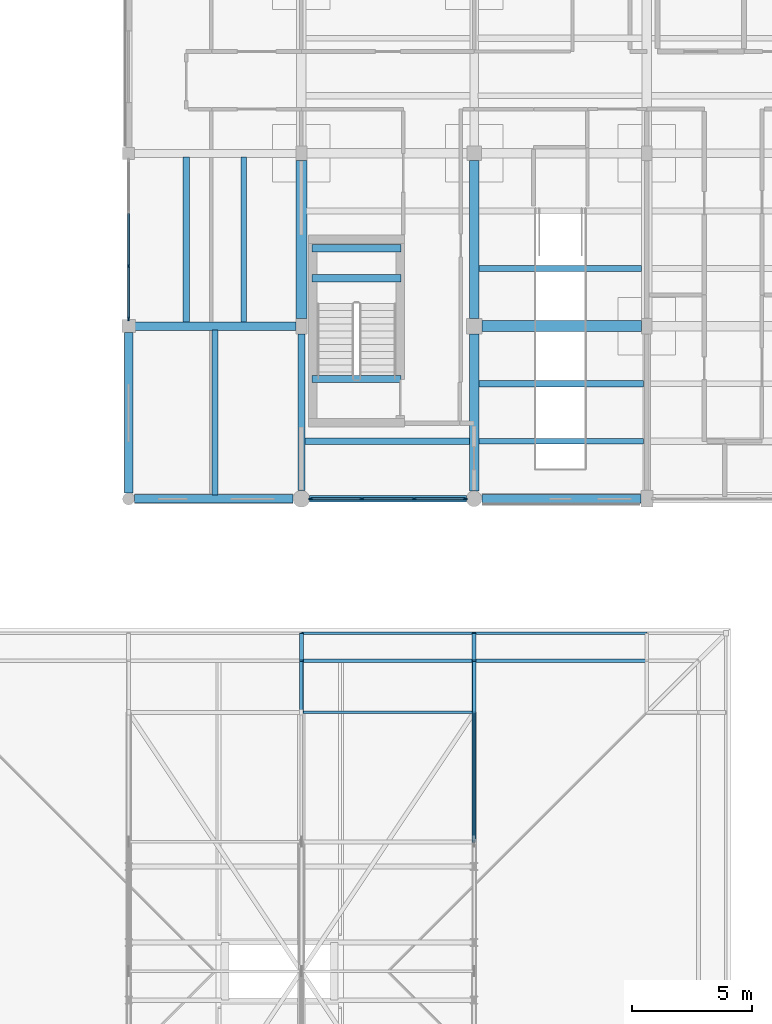
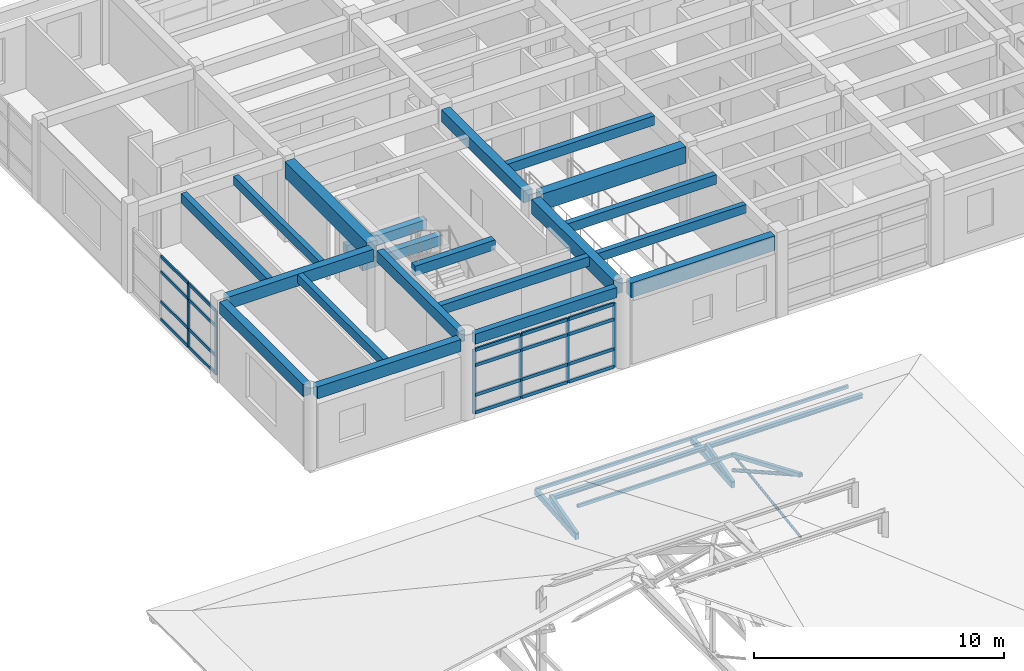
# One storey, part 10 of 110: 38 members, 20 beams, 2 elements without a shape of their own.
"""IFC4 building model written with IfcOpenShell, lengths in metres."""

from ifc_helpers import new_model, si_unit, direction, frame, origin, origin_2d, place, context, subcontext, project, spatial, rectangle, hollow_rectangle, hollow_circle, i_section, extrude, material, material_profile, profile_set, type_object, element, aggregate, save


model = new_model("IFC4")

# Units and contexts
model_context = context("Model", 3, precision=1e-05, world=origin(), true_north=direction((0.0, 1.0)))
body_context = subcontext(model_context, "Body", "Model", "MODEL_VIEW")
ifc_project = project(units=[si_unit("LENGTHUNIT", "METRE"), si_unit("AREAUNIT", "SQUARE_METRE"), si_unit("VOLUMEUNIT", "CUBIC_METRE"), si_unit("PLANEANGLEUNIT", "RADIAN"), si_unit("MASSUNIT", "GRAM", prefix="KILO")], contexts=[model_context])

# Site, building, storey
site_placement = place(None, origin())
site = spatial("IfcSite", under=ifc_project, at=site_placement, CompositionType="ELEMENT")
building_placement = place(site_placement, origin())
building = spatial("IfcBuilding", under=site, at=building_placement, Name="Steenspoor Specialist Clinic", CompositionType="ELEMENT")
storey_placement = place(building_placement, frame((0.0, 0.0, 4.800048828125)))
storey = spatial("IfcBuildingStorey", under=building, at=storey_placement, Name="L01", CompositionType="ELEMENT", Elevation=4.800048828125)

# Beams
ifc_material_1 = material(Name="Concrete C35/45", Category="concrete")
ifc_material_profile_1 = material_profile(ifc_material_1, rectangle(XDim=0.300048828125, YDim=0.47998046875, at=origin_2d()), Name="RC-BM-300X480")
ifc_profile_set_1 = profile_set([ifc_material_profile_1], Name="Concrete C35/45")
beam_type_1 = type_object("IfcBeamType", Name="BM-RC-300X480", PredefinedType="BEAM", material=ifc_profile_set_1)
for number, where, z_axis, x_axis, name in (
    (1, (23.25, 74.35009765625, 1.659912109375), (1.0, 0.0, 0.0), (0.0, 1.0, 0.0), "Stair Mid-Landing Bearer 1 ST-V5B L01"),
    (2, (23.25, 75.60009765625, 1.659912109375), (1.0, 0.0, 0.0), (0.0, 1.0, 0.0), "Stair Mid-Landing Bearer 2 ST-V5B L01"),
    (3, (23.25, 70.14990234375, 3.9599609375), (1.0, 0.0, 0.0), (0.0, 1.0, 0.0), "Stair Well Trimmer Beam ST-V5B L01"),
):
    element("IfcBeam", number, at=place(storey_placement, frame(where, z_axis=z_axis, x_axis=x_axis)), inside=storey, type_object=beam_type_1, Name=name, PredefinedType="BEAM", context=body_context, shape_type="SweptSolid", body=[
        extrude(rectangle(XDim=0.300048828125, YDim=0.47998046875, at=origin_2d()), origin(), (0.0, 0.0, 1.0), 3.699951171875),
    ])
ifc_material_profile_2 = material_profile(ifc_material_1, rectangle(XDim=0.300048828125, YDim=0.550048828125, at=origin_2d()), Name="RC-BM-300X550")
ifc_profile_set_2 = profile_set([ifc_material_profile_2], Name="Concrete C35/45")
beam_type_2 = type_object("IfcBeamType", Name="BM-RC-300X550", PredefinedType="BEAM", material=ifc_profile_set_2)
beam_1_placement = place(storey_placement, frame((22.800048828125, 65.4951171875, 3.675048828125), z_axis=(0.0, 1.0, 0.0), x_axis=(-1.0, 0.0, 0.0)))
element("IfcBeam", 4, at=beam_1_placement, inside=storey, type_object=beam_type_2, Name="BM-V5-L01-Y1178", PredefinedType="BEAM", context=body_context, shape_type="SweptSolid", body=[
    extrude(rectangle(XDim=0.300048828125, YDim=0.550048828125, at=origin_2d()), origin(), (0.0, 0.0, 1.0), 6.534912109375),
])
ifc_material_profile_3 = material_profile(ifc_material_1, rectangle(XDim=0.35009765625, YDim=0.580078125, at=origin_2d()), Name="RC-BM-350X580")
ifc_profile_set_3 = profile_set([ifc_material_profile_3], Name="Concrete C35/45")
beam_type_3 = type_object("IfcBeamType", Name="BM-RC-350X580", PredefinedType="BEAM", material=ifc_profile_set_3)
beam_2_placement = place(storey_placement, frame((15.844970703125, 65.14990234375, 3.659912109375), z_axis=(1.0, 0.0, 0.0), x_axis=(0.0, 1.0, 0.0)))
element("IfcBeam", 5, at=beam_2_placement, inside=storey, type_object=beam_type_3, Name="BM-V5-L01-X1206", PredefinedType="BEAM", context=body_context, shape_type="SweptSolid", body=[
    extrude(rectangle(XDim=0.35009765625, YDim=0.580078125, at=origin_2d()), origin(), (0.0, 0.0, 1.0), 6.610107421875),
])
beam_3_placement = place(storey_placement, frame((15.8701171875, 72.35009765625, 3.659912109375), z_axis=(1.0, 0.0, 0.0), x_axis=(0.0, 1.0, 0.0)))
element("IfcBeam", 6, at=beam_3_placement, inside=storey, type_object=beam_type_3, Name="BM-V5-L01-X1207", PredefinedType="BEAM", context=body_context, shape_type="SweptSolid", body=[
    extrude(rectangle(XDim=0.35009765625, YDim=0.580078125, at=origin_2d()), origin(), (0.0, 0.0, 1.0), 6.7099609375),
])
beam_4_placement = place(storey_placement, frame((15.60009765625, 65.39501953125, 3.659912109375), z_axis=(0.0, 1.0, 0.0), x_axis=(-1.0, 0.0, 0.0)))
element("IfcBeam", 7, at=beam_4_placement, inside=storey, type_object=beam_type_3, Name="BM-V5-L01-Y1208", PredefinedType="BEAM", context=body_context, shape_type="SweptSolid", body=[
    extrude(rectangle(XDim=0.35009765625, YDim=0.580078125, at=origin_2d()), origin(), (0.0, 0.0, 1.0), 6.68505859375),
])
ifc_material_profile_4 = material_profile(ifc_material_1, rectangle(XDim=0.39990234375, YDim=0.580078125, at=origin_2d()), Name="RC-BM-400X580")
ifc_profile_set_4 = profile_set([ifc_material_profile_4], Name="Concrete C35/45")
beam_type_4 = type_object("IfcBeamType", Name="BM-RC-400X580", PredefinedType="BEAM", material=ifc_profile_set_4)
beam_5_placement = place(storey_placement, frame((30.0, 72.669921875, 3.659912109375), z_axis=(0.0, 1.0, 0.0), x_axis=(-1.0, 0.0, 0.0)))
element("IfcBeam", 8, at=beam_5_placement, inside=storey, type_object=beam_type_4, Name="BM-V5-L01-Y1183", PredefinedType="BEAM", context=body_context, shape_type="SweptSolid", body=[
    extrude(rectangle(XDim=0.39990234375, YDim=0.580078125, at=origin_2d()), origin(), (0.0, 0.0, 1.0), 6.5849609375),
])
ifc_material_profile_5 = material_profile(ifc_material_1, rectangle(XDim=0.39990234375, YDim=0.699951171875, at=origin_2d()), Name="RC-BM-400X700")
ifc_profile_set_5 = profile_set([ifc_material_profile_5], Name="Concrete C35/45")
beam_type_5 = type_object("IfcBeamType", Name="BM-RC-400X700", PredefinedType="BEAM", material=ifc_profile_set_5)
beam_6_placement = place(storey_placement, frame((30.0, 65.469970703125, 3.599853515625), z_axis=(0.0, 1.0, 0.0), x_axis=(-1.0, 0.0, 0.0)))
element("IfcBeam", 9, at=beam_6_placement, inside=storey, type_object=beam_type_5, Name="BM-V5-L01-Y1182", PredefinedType="BEAM", context=body_context, shape_type="SweptSolid", body=[
    extrude(rectangle(XDim=0.39990234375, YDim=0.699951171875, at=origin_2d()), origin(), (0.0, 0.0, 1.0), 6.56005859375),
])
ifc_material_profile_6 = material_profile(ifc_material_1, rectangle(XDim=0.449951171875, YDim=0.800048828125, at=origin_2d()), Name="RC-BM-450X800")
ifc_profile_set_6 = profile_set([ifc_material_profile_6], Name="Concrete C35/45")
beam_type_6 = type_object("IfcBeamType", Name="BM-RC-450X800", PredefinedType="BEAM", material=ifc_profile_set_6)
beam_7_placement = place(storey_placement, frame((30.320068359375, 72.35009765625, 3.550048828125), z_axis=(1.0, 0.0, 0.0), x_axis=(0.0, 1.0, 0.0)))
element("IfcBeam", 10, at=beam_7_placement, inside=storey, type_object=beam_type_6, Name="BM-V5-L01-X1158", PredefinedType="BEAM", context=body_context, shape_type="SweptSolid", body=[
    extrude(rectangle(XDim=0.449951171875, YDim=0.800048828125, at=origin_2d()), origin(), (0.0, 0.0, 1.0), 6.659912109375),
])
beam_8_placement = place(storey_placement, frame((22.800048828125, 72.669921875, 3.550048828125), z_axis=(0.0, 1.0, 0.0), x_axis=(-1.0, 0.0, 0.0)))
element("IfcBeam", 11, at=beam_8_placement, inside=storey, type_object=beam_type_6, Name="BM-V5-L01-Y1179", PredefinedType="BEAM", context=body_context, shape_type="SweptSolid", body=[
    extrude(rectangle(XDim=0.449951171875, YDim=0.800048828125, at=origin_2d()), origin(), (0.0, 0.0, 1.0), 6.5849609375),
])

# Curtain wall, members
ifc_material_2 = material(Name="Thermally broken aluminium and low-emissivity glass", Category="aluminium")
curtain_wall_type_1 = type_object("IfcCurtainWallType", Name="CW-WLK-520X340", PredefinedType="USERDEFINED", material=ifc_material_2)
curtain_wall_1_placement = place(storey_placement, origin())
curtain_wall_1 = element("IfcCurtainWall", 12, at=curtain_wall_1_placement, inside=storey, type_object=curtain_wall_type_1, Name="Unitised Curtain Wall CW-V5-L01-141", ObjectType="UNITISED GLAZING", PredefinedType="USERDEFINED")
ifc_material_3 = material(Name="Thermally broken aluminium 6063-T6", Category="aluminium")
ifc_material_profile_7 = material_profile(ifc_material_3, rectangle(XDim=0.06494140625, YDim=0.14990234375, at=origin_2d()), Name="CWM-65X150")
ifc_profile_set_7 = profile_set([ifc_material_profile_7], Name="Thermally broken aluminium 6063-T6")
member_type_1 = type_object("IfcMemberType", Name="CW-MULL-65X150", PredefinedType="MULLION", material=ifc_profile_set_7)
member_1_placement = place(storey_placement, frame((15.60009765625, 72.657470703125, 0.0), z_axis=(0.0, 0.0, 1.0), x_axis=(-1.0, 0.0, 0.0)))
member_1 = element("IfcMember", 13, at=member_1_placement, type_object=member_type_1, Name="CW-21 mullion 1", PredefinedType="MULLION", context=body_context, shape_type="SweptSolid", body=[
    extrude(rectangle(XDim=0.06494140625, YDim=0.14990234375, at=origin_2d()), origin(), (0.0, 0.0, 1.0), 3.1298828125),
])
member_2_placement = place(storey_placement, frame((15.60009765625, 74.85009765625, 0.0), z_axis=(0.0, 0.0, 1.0), x_axis=(-1.0, 0.0, 0.0)))
member_2 = element("IfcMember", 14, at=member_2_placement, type_object=member_type_1, Name="CW-21 mullion 2", PredefinedType="MULLION", context=body_context, shape_type="SweptSolid", body=[
    extrude(rectangle(XDim=0.06494140625, YDim=0.14990234375, at=origin_2d()), origin(), (0.0, 0.0, 1.0), 3.1298828125),
])

curtain_wall_type_2 = type_object("IfcCurtainWallType", Name="CW-WLK-640X340", PredefinedType="USERDEFINED", material=ifc_material_2)
curtain_wall_2_placement = place(storey_placement, origin())
curtain_wall_2 = element("IfcCurtainWall", 15, at=curtain_wall_2_placement, inside=storey, type_object=curtain_wall_type_2, Name="Unitised Curtain Wall CW-V5-L01-140", ObjectType="UNITISED GLAZING", PredefinedType="USERDEFINED")
ifc_material_profile_8 = material_profile(ifc_material_3, rectangle(XDim=0.070068359375, YDim=0.1650390625, at=origin_2d()), Name="CWM-70X165")
ifc_profile_set_8 = profile_set([ifc_material_profile_8], Name="Thermally broken aluminium 6063-T6")
member_type_2 = type_object("IfcMemberType", Name="CW-MULL-70X165", PredefinedType="MULLION", material=ifc_profile_set_8)
member_3_placement = place(storey_placement, frame((29.639892578125, 65.14990234375, 0.0), z_axis=(0.0, 0.0, 1.0), x_axis=(0.0, -1.0, 0.0)))
member_3 = element("IfcMember", 16, at=member_3_placement, type_object=member_type_2, Name="CW-20 mullion 1", PredefinedType="MULLION", context=body_context, shape_type="SweptSolid", body=[
    extrude(rectangle(XDim=0.070068359375, YDim=0.1650390625, at=origin_2d()), origin(), (0.0, 0.0, 1.0), 3.1298828125),
])
member_4_placement = place(storey_placement, frame((27.5, 65.14990234375, 0.0), z_axis=(0.0, 0.0, 1.0), x_axis=(0.0, -1.0, 0.0)))
member_4 = element("IfcMember", 17, at=member_4_placement, type_object=member_type_2, Name="CW-20 mullion 2", PredefinedType="MULLION", context=body_context, shape_type="SweptSolid", body=[
    extrude(rectangle(XDim=0.070068359375, YDim=0.1650390625, at=origin_2d()), origin(), (0.0, 0.0, 1.0), 3.1298828125),
])
member_5_placement = place(storey_placement, frame((25.324951171875, 65.14990234375, 0.0), z_axis=(0.0, 0.0, 1.0), x_axis=(0.0, -1.0, 0.0)))
member_5 = element("IfcMember", 18, at=member_5_placement, type_object=member_type_2, Name="CW-20 mullion 3", PredefinedType="MULLION", context=body_context, shape_type="SweptSolid", body=[
    extrude(rectangle(XDim=0.070068359375, YDim=0.1650390625, at=origin_2d()), origin(), (0.0, 0.0, 1.0), 3.1298828125),
])
member_6_placement = place(storey_placement, frame((23.18505859375, 65.14990234375, 0.0), z_axis=(0.0, 0.0, 1.0), x_axis=(0.0, -1.0, 0.0)))
member_6 = element("IfcMember", 19, at=member_6_placement, type_object=member_type_2, Name="CW-20 mullion 4", PredefinedType="MULLION", context=body_context, shape_type="SweptSolid", body=[
    extrude(rectangle(XDim=0.070068359375, YDim=0.1650390625, at=origin_2d()), origin(), (0.0, 0.0, 1.0), 3.1298828125),
])

# Member
ifc_material_profile_9 = material_profile(ifc_material_3, rectangle(XDim=0.070068359375, YDim=0.14501953125, at=origin_2d()), Name="CWT-70X145")
ifc_profile_set_9 = profile_set([ifc_material_profile_9], Name="Thermally broken aluminium 6063-T6")
member_type_3 = type_object("IfcMemberType", Name="CW-TRAN-70X145", PredefinedType="USERDEFINED", material=ifc_profile_set_9)
member_7_placement = place(storey_placement, frame((15.60009765625, 72.68994140625, 0.034912109375), z_axis=(0.0, 1.0, 0.0), x_axis=(-1.0, 0.0, 0.0)))
member_7 = element("IfcMember", 20, at=member_7_placement, type_object=member_type_3, Name="CW-21 transom 1.1", ObjectType="TRANSOM", PredefinedType="USERDEFINED", context=body_context, shape_type="SweptSolid", body=[
    extrude(rectangle(XDim=0.070068359375, YDim=0.14501953125, at=origin_2d()), origin(), (0.0, 0.0, 1.0), 2.12744140625),
])

member_8_placement = place(storey_placement, frame((15.60009765625, 72.68994140625, 0.89990234375), z_axis=(0.0, 1.0, 0.0), x_axis=(-1.0, 0.0, 0.0)))
member_8 = element("IfcMember", 21, at=member_8_placement, type_object=member_type_3, Name="CW-21 transom 1.2", ObjectType="TRANSOM", PredefinedType="USERDEFINED", context=body_context, shape_type="SweptSolid", body=[
    extrude(rectangle(XDim=0.070068359375, YDim=0.14501953125, at=origin_2d()), origin(), (0.0, 0.0, 1.0), 2.12744140625),
])

member_9_placement = place(storey_placement, frame((15.60009765625, 72.68994140625, 2.349853515625), z_axis=(0.0, 1.0, 0.0), x_axis=(-1.0, 0.0, 0.0)))
member_9 = element("IfcMember", 22, at=member_9_placement, type_object=member_type_3, Name="CW-21 transom 1.3", ObjectType="TRANSOM", PredefinedType="USERDEFINED", context=body_context, shape_type="SweptSolid", body=[
    extrude(rectangle(XDim=0.070068359375, YDim=0.14501953125, at=origin_2d()), origin(), (0.0, 0.0, 1.0), 2.12744140625),
])

member_10_placement = place(storey_placement, frame((15.60009765625, 72.68994140625, 3.094970703125), z_axis=(0.0, 1.0, 0.0), x_axis=(-1.0, 0.0, 0.0)))
member_10 = element("IfcMember", 23, at=member_10_placement, type_object=member_type_3, Name="CW-21 transom 1.4", ObjectType="TRANSOM", PredefinedType="USERDEFINED", context=body_context, shape_type="SweptSolid", body=[
    extrude(rectangle(XDim=0.070068359375, YDim=0.14501953125, at=origin_2d()), origin(), (0.0, 0.0, 1.0), 2.12744140625),
])

member_11_placement = place(storey_placement, frame((15.60009765625, 74.882568359375, 0.034912109375), z_axis=(0.0, 1.0, 0.0), x_axis=(-1.0, 0.0, 0.0)))
member_11 = element("IfcMember", 24, at=member_11_placement, type_object=member_type_3, Name="CW-21 transom 2.1", ObjectType="TRANSOM", PredefinedType="USERDEFINED", context=body_context, shape_type="SweptSolid", body=[
    extrude(rectangle(XDim=0.070068359375, YDim=0.14501953125, at=origin_2d()), origin(), (0.0, 0.0, 1.0), 2.159912109375),
])

member_12_placement = place(storey_placement, frame((15.60009765625, 74.882568359375, 0.89990234375), z_axis=(0.0, 1.0, 0.0), x_axis=(-1.0, 0.0, 0.0)))
member_12 = element("IfcMember", 25, at=member_12_placement, type_object=member_type_3, Name="CW-21 transom 2.2", ObjectType="TRANSOM", PredefinedType="USERDEFINED", context=body_context, shape_type="SweptSolid", body=[
    extrude(rectangle(XDim=0.070068359375, YDim=0.14501953125, at=origin_2d()), origin(), (0.0, 0.0, 1.0), 2.159912109375),
])

member_13_placement = place(storey_placement, frame((15.60009765625, 74.882568359375, 2.349853515625), z_axis=(0.0, 1.0, 0.0), x_axis=(-1.0, 0.0, 0.0)))
member_13 = element("IfcMember", 26, at=member_13_placement, type_object=member_type_3, Name="CW-21 transom 2.3", ObjectType="TRANSOM", PredefinedType="USERDEFINED", context=body_context, shape_type="SweptSolid", body=[
    extrude(rectangle(XDim=0.070068359375, YDim=0.14501953125, at=origin_2d()), origin(), (0.0, 0.0, 1.0), 2.159912109375),
])

member_14_placement = place(storey_placement, frame((15.60009765625, 74.882568359375, 3.094970703125), z_axis=(0.0, 1.0, 0.0), x_axis=(-1.0, 0.0, 0.0)))
member_14 = element("IfcMember", 27, at=member_14_placement, type_object=member_type_3, Name="CW-21 transom 2.4", ObjectType="TRANSOM", PredefinedType="USERDEFINED", context=body_context, shape_type="SweptSolid", body=[
    extrude(rectangle(XDim=0.070068359375, YDim=0.14501953125, at=origin_2d()), origin(), (0.0, 0.0, 1.0), 2.159912109375),
])

aggregate(curtain_wall_1, [member_1, member_2, member_7, member_8, member_9, member_10, member_11, member_12, member_13, member_14])

ifc_material_profile_10 = material_profile(ifc_material_3, rectangle(XDim=0.080078125, YDim=0.159912109375, at=origin_2d()), Name="CWT-80X160")
ifc_profile_set_10 = profile_set([ifc_material_profile_10], Name="Thermally broken aluminium 6063-T6")
member_type_4 = type_object("IfcMemberType", Name="CW-TRAN-80X160", PredefinedType="USERDEFINED", material=ifc_profile_set_10)
member_15_placement = place(storey_placement, frame((29.60498046875, 65.14990234375, 0.0400390625), z_axis=(-1.0, 0.0, 0.0), x_axis=(0.0, -1.0, 0.0)))
member_15 = element("IfcMember", 28, at=member_15_placement, type_object=member_type_4, Name="CW-20 transom 1.1", ObjectType="TRANSOM", PredefinedType="USERDEFINED", context=body_context, shape_type="SweptSolid", body=[
    extrude(rectangle(XDim=0.080078125, YDim=0.159912109375, at=origin_2d()), origin(), (0.0, 0.0, 1.0), 2.070068359375),
])

member_16_placement = place(storey_placement, frame((29.60498046875, 65.14990234375, 0.89990234375), z_axis=(-1.0, 0.0, 0.0), x_axis=(0.0, -1.0, 0.0)))
member_16 = element("IfcMember", 29, at=member_16_placement, type_object=member_type_4, Name="CW-20 transom 1.2", ObjectType="TRANSOM", PredefinedType="USERDEFINED", context=body_context, shape_type="SweptSolid", body=[
    extrude(rectangle(XDim=0.080078125, YDim=0.159912109375, at=origin_2d()), origin(), (0.0, 0.0, 1.0), 2.070068359375),
])

member_17_placement = place(storey_placement, frame((29.60498046875, 65.14990234375, 2.349853515625), z_axis=(-1.0, 0.0, 0.0), x_axis=(0.0, -1.0, 0.0)))
member_17 = element("IfcMember", 30, at=member_17_placement, type_object=member_type_4, Name="CW-20 transom 1.3", ObjectType="TRANSOM", PredefinedType="USERDEFINED", context=body_context, shape_type="SweptSolid", body=[
    extrude(rectangle(XDim=0.080078125, YDim=0.159912109375, at=origin_2d()), origin(), (0.0, 0.0, 1.0), 2.070068359375),
])

member_18_placement = place(storey_placement, frame((29.60498046875, 65.14990234375, 3.08984375), z_axis=(-1.0, 0.0, 0.0), x_axis=(0.0, -1.0, 0.0)))
member_18 = element("IfcMember", 31, at=member_18_placement, type_object=member_type_4, Name="CW-20 transom 1.4", ObjectType="TRANSOM", PredefinedType="USERDEFINED", context=body_context, shape_type="SweptSolid", body=[
    extrude(rectangle(XDim=0.080078125, YDim=0.159912109375, at=origin_2d()), origin(), (0.0, 0.0, 1.0), 2.070068359375),
])

member_19_placement = place(storey_placement, frame((27.465087890625, 65.14990234375, 0.0400390625), z_axis=(-1.0, 0.0, 0.0), x_axis=(0.0, -1.0, 0.0)))
member_19 = element("IfcMember", 32, at=member_19_placement, type_object=member_type_4, Name="CW-20 transom 2.1", ObjectType="TRANSOM", PredefinedType="USERDEFINED", context=body_context, shape_type="SweptSolid", body=[
    extrude(rectangle(XDim=0.080078125, YDim=0.159912109375, at=origin_2d()), origin(), (0.0, 0.0, 1.0), 2.10498046875),
])

member_20_placement = place(storey_placement, frame((27.465087890625, 65.14990234375, 0.89990234375), z_axis=(-1.0, 0.0, 0.0), x_axis=(0.0, -1.0, 0.0)))
member_20 = element("IfcMember", 33, at=member_20_placement, type_object=member_type_4, Name="CW-20 transom 2.2", ObjectType="TRANSOM", PredefinedType="USERDEFINED", context=body_context, shape_type="SweptSolid", body=[
    extrude(rectangle(XDim=0.080078125, YDim=0.159912109375, at=origin_2d()), origin(), (0.0, 0.0, 1.0), 2.10498046875),
])

member_21_placement = place(storey_placement, frame((27.465087890625, 65.14990234375, 2.349853515625), z_axis=(-1.0, 0.0, 0.0), x_axis=(0.0, -1.0, 0.0)))
member_21 = element("IfcMember", 34, at=member_21_placement, type_object=member_type_4, Name="CW-20 transom 2.3", ObjectType="TRANSOM", PredefinedType="USERDEFINED", context=body_context, shape_type="SweptSolid", body=[
    extrude(rectangle(XDim=0.080078125, YDim=0.159912109375, at=origin_2d()), origin(), (0.0, 0.0, 1.0), 2.10498046875),
])

member_22_placement = place(storey_placement, frame((27.465087890625, 65.14990234375, 3.08984375), z_axis=(-1.0, 0.0, 0.0), x_axis=(0.0, -1.0, 0.0)))
member_22 = element("IfcMember", 35, at=member_22_placement, type_object=member_type_4, Name="CW-20 transom 2.4", ObjectType="TRANSOM", PredefinedType="USERDEFINED", context=body_context, shape_type="SweptSolid", body=[
    extrude(rectangle(XDim=0.080078125, YDim=0.159912109375, at=origin_2d()), origin(), (0.0, 0.0, 1.0), 2.10498046875),
])

member_23_placement = place(storey_placement, frame((25.2900390625, 65.14990234375, 0.0400390625), z_axis=(-1.0, 0.0, 0.0), x_axis=(0.0, -1.0, 0.0)))
member_23 = element("IfcMember", 36, at=member_23_placement, type_object=member_type_4, Name="CW-20 transom 3.1", ObjectType="TRANSOM", PredefinedType="USERDEFINED", context=body_context, shape_type="SweptSolid", body=[
    extrude(rectangle(XDim=0.080078125, YDim=0.159912109375, at=origin_2d()), origin(), (0.0, 0.0, 1.0), 2.070068359375),
])

member_24_placement = place(storey_placement, frame((25.2900390625, 65.14990234375, 0.89990234375), z_axis=(-1.0, 0.0, 0.0), x_axis=(0.0, -1.0, 0.0)))
member_24 = element("IfcMember", 37, at=member_24_placement, type_object=member_type_4, Name="CW-20 transom 3.2", ObjectType="TRANSOM", PredefinedType="USERDEFINED", context=body_context, shape_type="SweptSolid", body=[
    extrude(rectangle(XDim=0.080078125, YDim=0.159912109375, at=origin_2d()), origin(), (0.0, 0.0, 1.0), 2.070068359375),
])

member_25_placement = place(storey_placement, frame((25.2900390625, 65.14990234375, 2.349853515625), z_axis=(-1.0, 0.0, 0.0), x_axis=(0.0, -1.0, 0.0)))
member_25 = element("IfcMember", 38, at=member_25_placement, type_object=member_type_4, Name="CW-20 transom 3.3", ObjectType="TRANSOM", PredefinedType="USERDEFINED", context=body_context, shape_type="SweptSolid", body=[
    extrude(rectangle(XDim=0.080078125, YDim=0.159912109375, at=origin_2d()), origin(), (0.0, 0.0, 1.0), 2.070068359375),
])

member_26_placement = place(storey_placement, frame((25.2900390625, 65.14990234375, 3.08984375), z_axis=(-1.0, 0.0, 0.0), x_axis=(0.0, -1.0, 0.0)))
member_26 = element("IfcMember", 39, at=member_26_placement, type_object=member_type_4, Name="CW-20 transom 3.4", ObjectType="TRANSOM", PredefinedType="USERDEFINED", context=body_context, shape_type="SweptSolid", body=[
    extrude(rectangle(XDim=0.080078125, YDim=0.159912109375, at=origin_2d()), origin(), (0.0, 0.0, 1.0), 2.070068359375),
])

aggregate(curtain_wall_2, [member_3, member_4, member_5, member_6, member_15, member_16, member_17, member_18, member_19, member_20, member_21, member_22, member_23, member_24, member_25, member_26])

# Beams
ifc_material_profile_11 = material_profile(ifc_material_1, rectangle(XDim=0.239990234375, YDim=0.419921875, at=origin_2d()), Name="RC-JT-240X420")
ifc_profile_set_11 = profile_set([ifc_material_profile_11], Name="Concrete C35/45")
beam_type_7 = type_object("IfcBeamType", Name="JT-RC-240X420", PredefinedType="JOIST", material=ifc_profile_set_11)
beam_9_placement = place(storey_placement, frame((19.199951171875, 65.320068359375, 3.739990234375), z_axis=(0.0, 1.0, 0.0), x_axis=(-1.0, 0.0, 0.0)))
element("IfcBeam", 40, at=beam_9_placement, inside=storey, type_object=beam_type_7, Name="JT-V5-L01-1209", PredefinedType="JOIST", context=body_context, shape_type="SweptSolid", body=[
    extrude(rectangle(XDim=0.239990234375, YDim=0.419921875, at=origin_2d()), origin(), (0.0, 0.0, 1.0), 6.85986328125),
])
beam_10_placement = place(storey_placement, frame((20.39990234375, 72.52001953125, 3.739990234375), z_axis=(0.0, 1.0, 0.0), x_axis=(-1.0, 0.0, 0.0)))
element("IfcBeam", 41, at=beam_10_placement, inside=storey, type_object=beam_type_7, Name="JT-V5-L01-1211", PredefinedType="JOIST", context=body_context, shape_type="SweptSolid", body=[
    extrude(rectangle(XDim=0.239990234375, YDim=0.419921875, at=origin_2d()), origin(), (0.0, 0.0, 1.0), 6.875),
])
beam_11_placement = place(storey_placement, frame((30.195068359375, 67.550048828125, 3.739990234375), z_axis=(1.0, 0.0, 0.0), x_axis=(0.0, 1.0, 0.0)))
element("IfcBeam", 42, at=beam_11_placement, inside=storey, type_object=beam_type_7, Name="JT-V5-L01-1218", PredefinedType="JOIST", context=body_context, shape_type="SweptSolid", body=[
    extrude(rectangle(XDim=0.239990234375, YDim=0.419921875, at=origin_2d()), origin(), (0.0, 0.0, 1.0), 6.85986328125),
])
ifc_material_profile_12 = material_profile(ifc_material_1, rectangle(XDim=0.260009765625, YDim=0.4599609375, at=origin_2d()), Name="RC-JT-260X460")
ifc_profile_set_12 = profile_set([ifc_material_profile_12], Name="Concrete C35/45")
beam_type_8 = type_object("IfcBeamType", Name="JT-RC-260X460", PredefinedType="JOIST", material=ifc_profile_set_12)
beam_12_placement = place(storey_placement, frame((18.0, 72.52001953125, 3.719970703125), z_axis=(0.0, 1.0, 0.0), x_axis=(-1.0, 0.0, 0.0)))
element("IfcBeam", 43, at=beam_12_placement, inside=storey, type_object=beam_type_8, Name="JT-V5-L01-1210", PredefinedType="JOIST", context=body_context, shape_type="SweptSolid", body=[
    extrude(rectangle(XDim=0.260009765625, YDim=0.4599609375, at=origin_2d()), origin(), (0.0, 0.0, 1.0), 6.875),
])
for number, where, z_axis, x_axis, name in (
    (44, (22.945068359375, 67.550048828125, 3.719970703125), (1.0, 0.0, 0.0), (0.0, 1.0, 0.0), "JT-V5-L01-1212"),
    (45, (30.195068359375, 69.949951171875, 3.719970703125), (1.0, 0.0, 0.0), (0.0, 1.0, 0.0), "JT-V5-L01-1219"),
):
    element("IfcBeam", number, at=place(storey_placement, frame(where, z_axis=z_axis, x_axis=x_axis)), inside=storey, type_object=beam_type_8, Name=name, PredefinedType="JOIST", context=body_context, shape_type="SweptSolid", body=[
        extrude(rectangle(XDim=0.260009765625, YDim=0.4599609375, at=origin_2d()), origin(), (0.0, 0.0, 1.0), 6.85986328125),
    ])
beam_13_placement = place(storey_placement, frame((30.195068359375, 74.75, 3.719970703125), z_axis=(1.0, 0.0, 0.0), x_axis=(0.0, 1.0, 0.0)))
element("IfcBeam", 46, at=beam_13_placement, inside=storey, type_object=beam_type_8, Name="JT-V5-L01-1220", PredefinedType="JOIST", context=body_context, shape_type="SweptSolid", body=[
    extrude(rectangle(XDim=0.260009765625, YDim=0.4599609375, at=origin_2d()), origin(), (0.0, 0.0, 1.0), 6.784912109375),
])

# Members
ifc_material_4 = material(Name="Steel A500 Grade C", Category="steel")
ifc_material_profile_13 = material_profile(ifc_material_4, hollow_circle(Radius=0.084228515625, WallThickness=0.007080078125, at=origin_2d()), Name="CHS168X7.1")
ifc_profile_set_13 = profile_set([ifc_material_profile_13], Name="Steel A500 Grade C")
member_type_5 = type_object("IfcMemberType", Name="MEM-BRACE-CHS168", PredefinedType="BRACE", material=ifc_profile_set_13)
member_27_placement = place(storey_placement, frame((30.0, 50.85009765625, 3.27197265625), z_axis=(0.0, 0.871160786061, -0.490997846054), x_axis=(-1.0, 0.0, 0.0)))
element("IfcMember", 47, at=member_27_placement, inside=storey, type_object=member_type_5, Name="ROOF TRUSS Web Brace V3 4.4", PredefinedType="BRACE", context=body_context, shape_type="SweptSolid", body=[
    extrude(hollow_circle(Radius=0.084228515625, WallThickness=0.007080078125, at=origin_2d()), origin(), (0.0, 0.0, 1.0), 6.198486328125),
])
ifc_material_profile_14 = material_profile(ifc_material_4, hollow_rectangle(XDim=0.177734375, YDim=0.177734375, WallThickness=0.0087890625, at=origin_2d()), Name="HSS178X178X9.5")
ifc_profile_set_14 = profile_set([ifc_material_profile_14], Name="Steel A500 Grade C")
member_type_6 = type_object("IfcMemberType", Name="MEM-CHORD-H178", PredefinedType="CHORD", material=ifc_profile_set_14)
member_28_placement = place(storey_placement, frame((30.0, 50.85009765625, 3.27197265625), z_axis=(0.0, 0.921364627168, -0.388699400312), x_axis=(-1.0, 0.0, 0.0)))
element("IfcMember", 48, at=member_28_placement, inside=storey, type_object=member_type_6, Name="ROOF TRUSS Top Chord V3 4.4", PredefinedType="CHORD", context=body_context, shape_type="SweptSolid", body=[
    extrude(hollow_rectangle(XDim=0.177734375, YDim=0.177734375, WallThickness=0.0087890625, at=origin_2d()), origin(), (0.0, 0.0, 1.0), 5.86083984375),
])
ifc_material_profile_15 = material_profile(ifc_material_4, hollow_rectangle(XDim=0.1015625, YDim=0.15234375, WallThickness=0.005859375, at=origin_2d()), Name="HSS152X102X6.4")
ifc_profile_set_15 = profile_set([ifc_material_profile_15], Name="Steel A500 Grade C")
member_type_7 = type_object("IfcMemberType", Name="MEM-PURLIN-H152", PredefinedType="PURLIN", material=ifc_profile_set_15)
for number, where, z_axis, x_axis, name in (
    (49, (22.800048828125, 59.550048828125, -0.195068359375), (1.0, 0.0, 0.0), (0.0, 1.0, 0.0), "ROOF TRUSS Eave Fascia 154"),
    (50, (30.0, 59.550048828125, -0.195068359375), (1.0, 0.0, 0.0), (0.0, 1.0, 0.0), "ROOF TRUSS Eave Fascia 155"),
    (51, (22.800048828125, 56.25, 0.99951171875), (1.0, 0.0, 0.0), (0.0, 1.0, 0.0), "ROOF TRUSS Purlin 190"),
):
    element("IfcMember", number, at=place(storey_placement, frame(where, z_axis=z_axis, x_axis=x_axis)), inside=storey, type_object=member_type_7, Name=name, PredefinedType="PURLIN", context=body_context, shape_type="SweptSolid", body=[
        extrude(hollow_rectangle(XDim=0.1015625, YDim=0.15234375, WallThickness=0.005859375, at=origin_2d()), origin(), (0.0, 0.0, 1.0), 7.199951171875),
    ])
ifc_material_5 = material(Name="Steel A992 Grade 50", Category="steel")
ifc_material_profile_16 = material_profile(ifc_material_5, i_section(OverallWidth=0.1650390625, OverallDepth=0.200927734375, WebThickness=0.006103515625, FlangeThickness=0.01025390625, at=origin_2d()), Name="W200X36")
ifc_profile_set_16 = profile_set([ifc_material_profile_16], Name="Steel A992 Grade 50")
member_type_8 = type_object("IfcMemberType", Name="MEM-PURLIN-W200", PredefinedType="PURLIN", material=ifc_profile_set_16)
for number, where, z_axis, x_axis, name in (
    (52, (22.800048828125, 58.39990234375, 0.0703125), (1.0, 0.0, 0.0), (0.0, 1.0, 0.0), "ROOF TRUSS Knuckle Purlin 170"),
    (53, (30.0, 58.39990234375, 0.0703125), (1.0, 0.0, 0.0), (0.0, 1.0, 0.0), "ROOF TRUSS Knuckle Purlin 172"),
):
    element("IfcMember", number, at=place(storey_placement, frame(where, z_axis=z_axis, x_axis=x_axis)), inside=storey, type_object=member_type_8, Name=name, PredefinedType="PURLIN", context=body_context, shape_type="SweptSolid", body=[
        extrude(i_section(OverallWidth=0.1650390625, OverallDepth=0.200927734375, WebThickness=0.006103515625, FlangeThickness=0.01025390625, at=origin_2d()), origin(), (0.0, 0.0, 1.0), 7.199951171875),
    ])
ifc_material_6 = material(Name="Glulam GL28h", Category="wood")
ifc_material_profile_17 = material_profile(ifc_material_6, rectangle(XDim=0.139892578125, YDim=0.219970703125, at=origin_2d()), Name="GL28H-140X220")
ifc_profile_set_17 = profile_set([ifc_material_profile_17], Name="Glulam GL28h")
member_type_9 = type_object("IfcMemberType", Name="MEM-RAFTER-GL220", PredefinedType="RAFTER", material=ifc_profile_set_17)
for number, where, z_axis, x_axis, name in (
    (54, (22.800048828125, 56.25, -0.40283203125), (0.0, 0.965556448109, 0.260193669244), (-1.0, 0.0, 0.0), "ROOF TRUSS Knuckle Rafter V3 90"),
    (55, (30.0, 56.25, -0.40283203125), (0.0, 0.965556448109, 0.260193669244), (-1.0, 0.0, 0.0), "ROOF TRUSS Knuckle Rafter V3 94"),
):
    element("IfcMember", number, at=place(storey_placement, frame(where, z_axis=z_axis, x_axis=x_axis)), inside=storey, type_object=member_type_9, Name=name, PredefinedType="RAFTER", context=body_context, shape_type="SweptSolid", body=[
        extrude(rectangle(XDim=0.139892578125, YDim=0.219970703125, at=origin_2d()), origin(), (0.0, 0.0, 1.0), 2.2265625),
    ])
ifc_material_profile_18 = material_profile(ifc_material_6, rectangle(XDim=0.159912109375, YDim=0.280029296875, at=origin_2d()), Name="GL28H-160X280")
ifc_profile_set_18 = profile_set([ifc_material_profile_18], Name="Glulam GL28h")
member_type_10 = type_object("IfcMemberType", Name="MEM-RAFTER-GL280", PredefinedType="RAFTER", material=ifc_profile_set_18)
for number, where, z_axis, x_axis, name in (
    (56, (22.800048828125, 56.25, -0.5), (0.0, 0.997518653982, 0.070402663009), (-1.0, 0.0, 0.0), "ROOF TRUSS Flared Eave Glulam Outrigger V3 89"),
    (57, (30.0, 56.25, -0.5), (0.0, 0.997518653982, 0.070402663009), (-1.0, 0.0, 0.0), "ROOF TRUSS Flared Eave Glulam Outrigger V3 93"),
):
    element("IfcMember", number, at=place(storey_placement, frame(where, z_axis=z_axis, x_axis=x_axis)), inside=storey, type_object=member_type_10, Name=name, PredefinedType="RAFTER", context=body_context, shape_type="SweptSolid", body=[
        extrude(rectangle(XDim=0.159912109375, YDim=0.280029296875, at=origin_2d()), origin(), (0.0, 0.0, 1.0), 3.308349609375),
    ])
ifc_material_profile_19 = material_profile(ifc_material_4, hollow_circle(Radius=0.05712890625, WallThickness=0.006103515625, at=origin_2d()), Name="CHS114X6.0")
ifc_profile_set_19 = profile_set([ifc_material_profile_19], Name="Steel A500 Grade C")
member_type_11 = type_object("IfcMemberType", Name="MEM-STRUT-CHS114", PredefinedType="STRUT", material=ifc_profile_set_19)
member_29_placement = place(storey_placement, frame((30.0, 50.85009765625, 0.228515625), z_axis=(0.0, 0.990103785523, 0.140337072412), x_axis=(-1.0, 0.0, 0.0)))
element("IfcMember", 58, at=member_29_placement, inside=storey, type_object=member_type_11, Name="ROOF TRUSS Web Strut V3 4.4", PredefinedType="STRUT", context=body_context, shape_type="SweptSolid", body=[
    extrude(hollow_circle(Radius=0.05712890625, WallThickness=0.006103515625, at=origin_2d()), origin(), (0.0, 0.0, 1.0), 5.453857421875),
])

# Beams
ifc_material_profile_20 = material_profile(ifc_material_1, rectangle(XDim=0.280029296875, YDim=0.5, at=origin_2d()), Name="RC-SP-280X500")
ifc_profile_set_20 = profile_set([ifc_material_profile_20], Name="Concrete C35/45")
beam_type_9 = type_object("IfcBeamType", Name="SP-RC-280X500", PredefinedType="SPANDREL", material=ifc_profile_set_20)
beam_14_placement = place(storey_placement, frame((23.14501953125, 65.14990234375, 3.699951171875), z_axis=(1.0, 0.0, 0.0), x_axis=(0.0, 1.0, 0.0)))
element("IfcBeam", 59, at=beam_14_placement, inside=storey, type_object=beam_type_9, Name="BM-V5-L01-X1154", PredefinedType="SPANDREL", context=body_context, shape_type="SweptSolid", body=[
    extrude(rectangle(XDim=0.280029296875, YDim=0.5, at=origin_2d()), origin(), (0.0, 0.0, 1.0), 6.534912109375),
])
ifc_material_profile_21 = material_profile(ifc_material_1, rectangle(XDim=0.360107421875, YDim=0.719970703125, at=origin_2d()), Name="RC-SP-360X720")
ifc_profile_set_21 = profile_set([ifc_material_profile_21], Name="Concrete C35/45")
beam_type_10 = type_object("IfcBeamType", Name="SP-RC-360X720", PredefinedType="SPANDREL", material=ifc_profile_set_21)
beam_15_placement = place(storey_placement, frame((30.320068359375, 65.14990234375, 3.58984375), z_axis=(1.0, 0.0, 0.0), x_axis=(0.0, 1.0, 0.0)))
element("IfcBeam", 60, at=beam_15_placement, inside=storey, type_object=beam_type_10, Name="BM-V5-L01-X1155", PredefinedType="SPANDREL", context=body_context, shape_type="SweptSolid", body=[
    extrude(rectangle(XDim=0.360107421875, YDim=0.719970703125, at=origin_2d()), origin(), (0.0, 0.0, 1.0), 6.635009765625),
])

save(model, "model.ifc")
